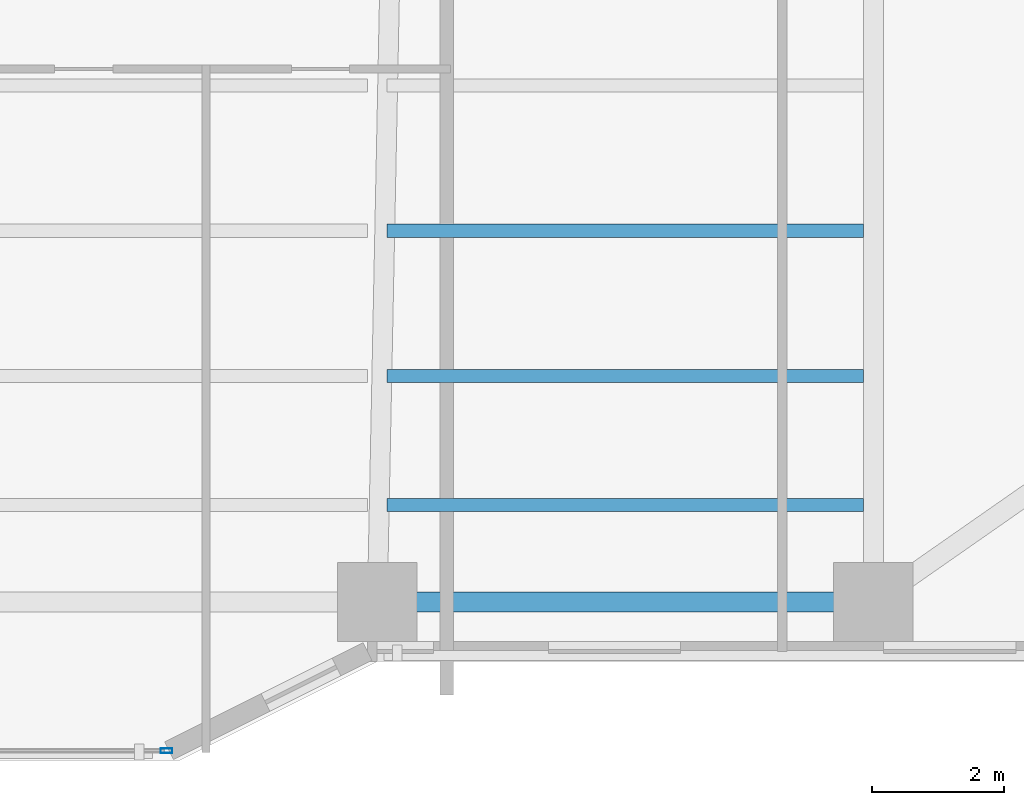
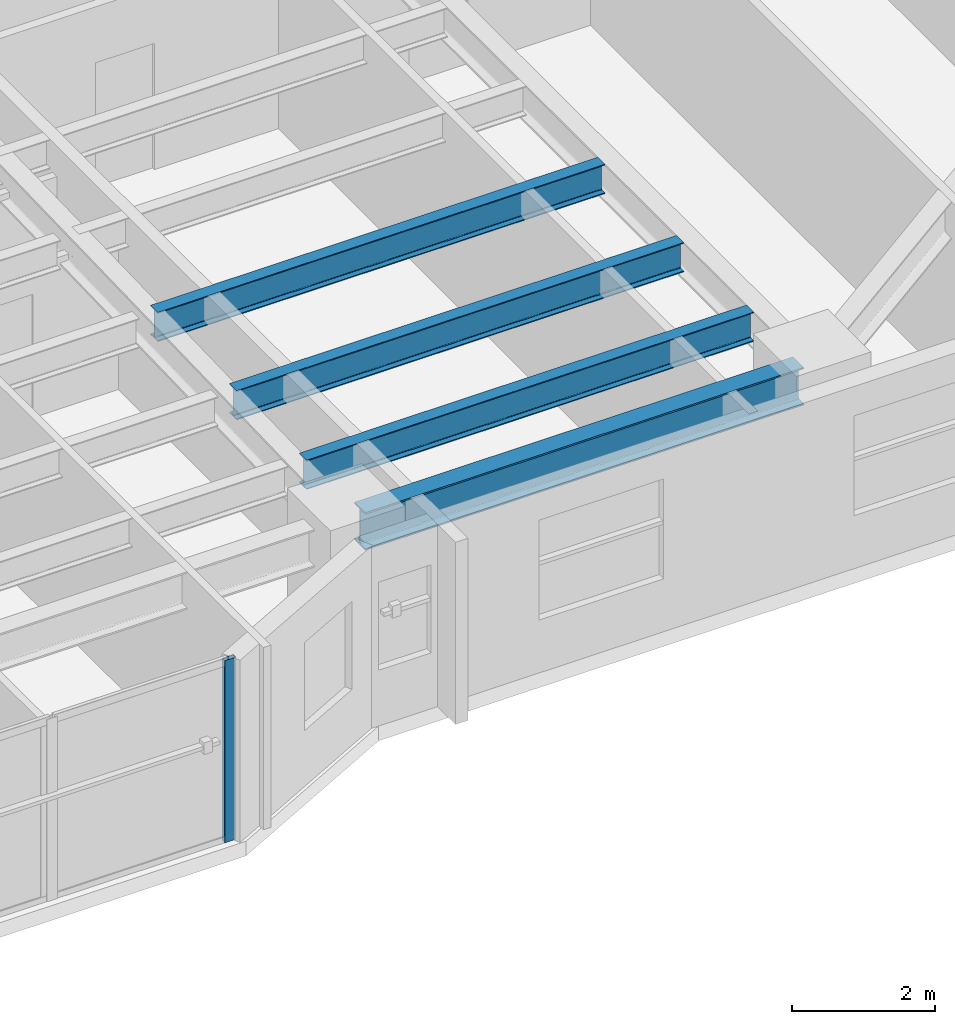
# One storey, part 4 of 19: 4 beams, 1 member, 1 element without a shape of its own.
"""IFC4 building model written with IfcOpenShell, lengths in metres."""

from ifc_helpers import new_model, si_unit, direction, frame, origin, origin_2d, place, context, subcontext, project, spatial, hollow_rectangle, i_section, extrude, material, layer, layer_set, material_profile, profile_set, type_object, element, aggregate, save


model = new_model("IFC4")

# Units and contexts
model_context = context("Model", 3, precision=1e-05, world=origin(), true_north=direction((0.0, 1.0)))
body_context = subcontext(model_context, "Body", "Model", "MODEL_VIEW")
ifc_project = project(units=[si_unit("LENGTHUNIT", "METRE"), si_unit("AREAUNIT", "SQUARE_METRE"), si_unit("VOLUMEUNIT", "CUBIC_METRE"), si_unit("PLANEANGLEUNIT", "RADIAN"), si_unit("MASSUNIT", "GRAM", prefix="KILO")], contexts=[model_context])

# Site, building, storey
site_placement = place(None, origin())
site = spatial("IfcSite", under=ifc_project, at=site_placement, CompositionType="ELEMENT")
building_placement = place(site_placement, origin())
building = spatial("IfcBuilding", under=site, at=building_placement, Name="Tarnavaz Court Tower", CompositionType="ELEMENT")
storey_placement = place(building_placement, frame((0.0, 0.0, 54.14990234375)))
storey = spatial("IfcBuildingStorey", under=building, at=storey_placement, Name="L14", CompositionType="ELEMENT", Elevation=54.14990234375)

# Beams
ifc_material_1 = material(Name="Steel S355", Category="steel")
ifc_material_profile_1 = material_profile(ifc_material_1, i_section(OverallWidth=0.199951171875, OverallDepth=0.5, WebThickness=0.01025390625, FlangeThickness=0.01611328125, FilletRadius=0.02099609375, at=origin_2d()), Name="IPE 500")
ifc_profile_set_1 = profile_set([ifc_material_profile_1], Name="Steel S355")
beam_type_1 = type_object("IfcBeamType", Name="BM-J-IPE500", PredefinedType="JOIST", material=ifc_profile_set_1)
for number, where, z_axis, x_axis, name in (
    (1, (7.64990234375, -17.18798828125, 2.85009765625), (1.0, 0.0, 0.0), (0.0, 1.0, 0.0), "L14 Beam JS3-3"),
    (2, (7.64990234375, -19.384033203125, 2.85009765625), (1.0, 0.0, 0.0), (0.0, 1.0, 0.0), "L14 Beam JS4-3"),
    (3, (7.64990234375, -21.3359375, 2.85009765625), (1.0, 0.0, 0.0), (0.0, 1.0, 0.0), "L14 Beam JS5-3"),
):
    element("IfcBeam", number, at=place(storey_placement, frame(where, z_axis=z_axis, x_axis=x_axis)), inside=storey, type_object=beam_type_1, Name=name, PredefinedType="JOIST", context=body_context, shape_type="SweptSolid", body=[
        extrude(i_section(OverallWidth=0.199951171875, OverallDepth=0.5, WebThickness=0.01025390625, FlangeThickness=0.01611328125, FilletRadius=0.02099609375, at=origin_2d()), origin(), (0.0, 0.0, 1.0), 7.2001953125),
    ])
ifc_material_profile_2 = material_profile(ifc_material_1, i_section(OverallWidth=0.300048828125, OverallDepth=0.639892578125, WebThickness=0.013427734375, FlangeThickness=0.02587890625, FilletRadius=0.027099609375, at=origin_2d()), Name="HEA 650")
ifc_profile_set_2 = profile_set([ifc_material_profile_2], Name="Steel S355")
beam_type_2 = type_object("IfcBeamType", Name="BM-SP-HEA650", PredefinedType="SPANDREL", material=ifc_profile_set_2)
beam_placement = place(storey_placement, frame((7.719970703125, -22.800048828125, 2.780029296875), z_axis=(1.0, 0.0, 0.0), x_axis=(0.0, 1.0, 0.0)))
element("IfcBeam", 4, at=beam_placement, inside=storey, type_object=beam_type_2, Name="L14 Beam PR-PS-3-PS-4", PredefinedType="SPANDREL", context=body_context, shape_type="SweptSolid", body=[
    extrude(i_section(OverallWidth=0.300048828125, OverallDepth=0.639892578125, WebThickness=0.013427734375, FlangeThickness=0.02587890625, FilletRadius=0.027099609375, at=origin_2d()), origin(), (0.0, 0.0, 1.0), 7.06005859375),
])

# Curtain wall, member
ifc_material_2 = material(Name="Anodised Aluminium 6063-T6 and Solar Low-E Glazing", Category="aluminium")
ifc_layer = layer(ifc_material_2, 0.179931640625)
ifc_layer_set = layer_set([ifc_layer], Name="Anodised Aluminium 6063-T6 and Solar Low-E Glazing")
curtain_wall_type = type_object("IfcCurtainWallType", Name="CW-SYS-02", PredefinedType="NOTDEFINED", material=ifc_layer_set)
curtain_wall_placement = place(storey_placement, origin())
curtain_wall = element("IfcCurtainWall", 5, at=curtain_wall_placement, inside=storey, type_object=curtain_wall_type, Name="L14 Iwan Prow Curtain Wall 17", PredefinedType="NOTDEFINED")
ifc_material_3 = material(Name="Anodised Aluminium 6063-T6", Category="aluminium")
ifc_material_profile_3 = material_profile(ifc_material_3, hollow_rectangle(XDim=0.074951171875, YDim=0.179931640625, WallThickness=0.0048828125, InnerFilletRadius=0.0048828125, OuterFilletRadius=0.010009765625, at=origin_2d()), Name="ALU RHS 180X75X5")
ifc_profile_set_3 = profile_set([ifc_material_profile_3], Name="Anodised Aluminium 6063-T6")
member_type = type_object("IfcMemberType", Name="CW-MUL-180", PredefinedType="MULLION", material=ifc_profile_set_3)
member_placement = place(storey_placement, frame((4.3125, -25.050048828125, 0.0), z_axis=(0.0, 0.0, 1.0), x_axis=(0.0, -1.0, 0.0)))
member = element("IfcMember", 6, at=member_placement, type_object=member_type, Name="CW mullion 1", PredefinedType="MULLION", context=body_context, shape_type="SweptSolid", body=[
    extrude(hollow_rectangle(XDim=0.074951171875, YDim=0.179931640625, WallThickness=0.0048828125, InnerFilletRadius=0.0048828125, OuterFilletRadius=0.010009765625, at=origin_2d()), origin(), (0.0, 0.0, 1.0), 3.10009765625),
])
aggregate(curtain_wall, [member])

save(model, "model.ifc")
